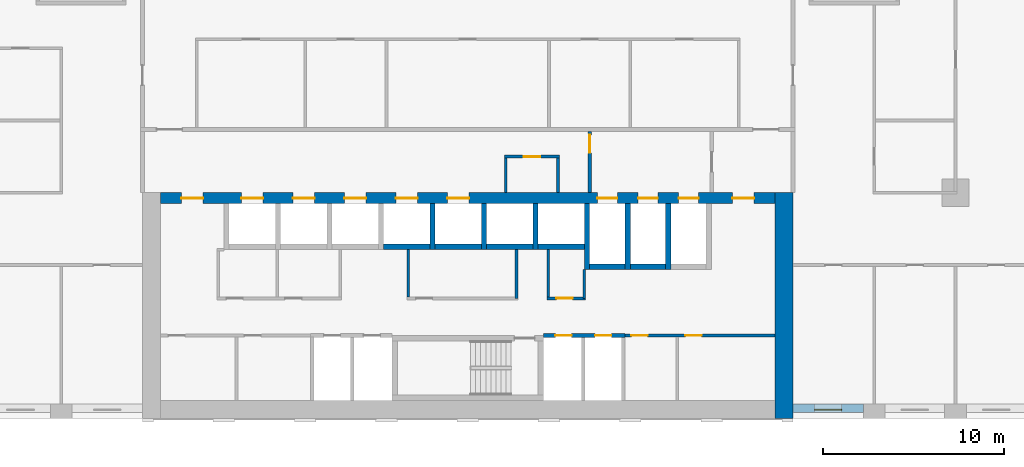
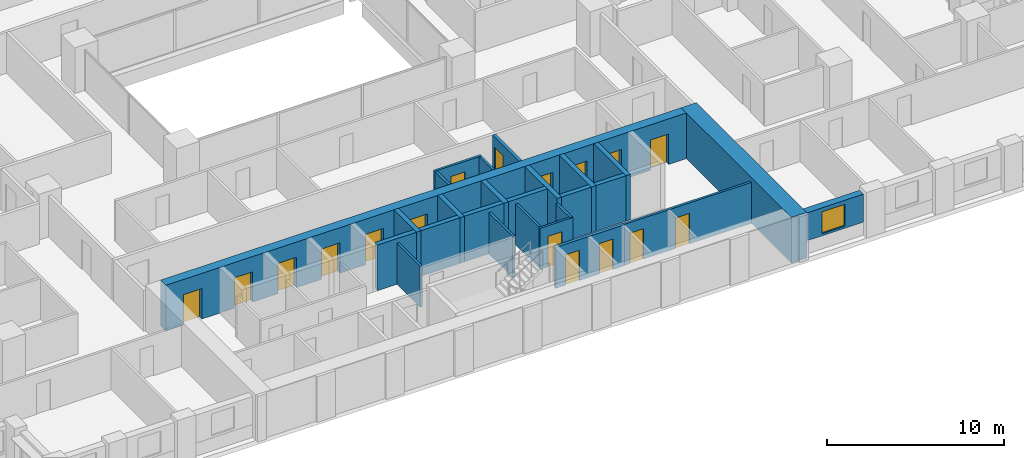
# One storey, part 11 of 20: 26 walls, 17 doors, 1 window, 18 openings.
"""IFC4 building model written with IfcOpenShell, lengths in metres."""

from ifc_helpers import new_model, si_unit, direction, frame, frame_2d, origin, place, context, subcontext, project, spatial, rectangle, extrude, material, layer, layer_set, type_object, element, fill, save


model = new_model("IFC4")

# Units and contexts
model_context = context("Model", 3, precision=1e-05, world=origin(), true_north=direction((0.0, 1.0)))
body_context = subcontext(model_context, "Body", "Model", "MODEL_VIEW")
ifc_project = project(units=[si_unit("LENGTHUNIT", "METRE"), si_unit("AREAUNIT", "SQUARE_METRE"), si_unit("VOLUMEUNIT", "CUBIC_METRE"), si_unit("PLANEANGLEUNIT", "RADIAN"), si_unit("MASSUNIT", "GRAM", prefix="KILO")], contexts=[model_context])

# Site, building, storey
site_placement = place(None, origin())
site = spatial("IfcSite", under=ifc_project, at=site_placement, CompositionType="ELEMENT")
building_placement = place(site_placement, origin())
building = spatial("IfcBuilding", under=site, at=building_placement, Name="Brigalow Station Residences", CompositionType="ELEMENT")
storey_placement = place(building_placement, frame((0.0, 0.0, 38.39990234375)))
storey = spatial("IfcBuildingStorey", under=building, at=storey_placement, Name="L10", CompositionType="ELEMENT", Elevation=38.39990234375)

# Wall, opening, window
ifc_material_1 = material(Name="Clay brick masonry", Category="masonry")
ifc_layer_1 = layer(ifc_material_1, 0.449951171875)
ifc_layer_set_1 = layer_set([ifc_layer_1], Name="BRICK INFILL WALL 450")
wall_type_1 = type_object("IfcWallType", Name="BRICK INFILL WALL 450", PredefinedType="SOLIDWALL", material=ifc_layer_set_1)
wall_1_placement = place(storey_placement, frame((54.0, 0.574951171875, 0.900146484375), z_axis=(0.0, 0.0, 1.0), x_axis=(1.0, 0.0, 0.0)))
wall_1 = element("IfcWall", 1, at=wall_1_placement, inside=storey, type_object=wall_type_1, Name="L10/ewall/W-L10-5", PredefinedType="SOLIDWALL", context=body_context, shape_type="SweptSolid", body=[
    extrude(rectangle(XDim=3.89990234375, YDim=0.449951171875, at=frame_2d((1.949951171875, 0.0))), origin(), (0.0, 0.0, 1.0), 1.929931640625),
])
opening_1_placement = place(wall_1_placement, frame((1.199951171875, 0.0, 0.14990234375)))
opening_1 = element("IfcOpeningElement", 2, at=opening_1_placement, cuts=wall_1, Name="Opening WT-1", PredefinedType="OPENING", context=body_context, shape_type="SweptSolid", body=[
    extrude(rectangle(XDim=1.5, YDim=1.5, at=frame_2d((0.75, 0.75))), frame((0.0, 0.23486328125, 0.0), z_axis=(0.0, -1.0, 0.0), x_axis=(1.0, 0.0, 0.0)), (0.0, 0.0, 1.0), 0.469970703125),
])
ifc_material_2 = material(Name="Anodised aluminium frame with double glazing", Category="aluminium")
window_type = type_object("IfcWindowType", Name="WINDOW 1500x1500", PartitioningType="SINGLE_PANEL", PredefinedType="WINDOW", material=ifc_material_2)
window_placement = place(opening_1_placement, origin())
window = element("IfcWindow", 3, at=window_placement, inside=storey, type_object=window_type, Name="L10/window/W-L10-5", OverallHeight=1.5, OverallWidth=1.5, PartitioningType="SINGLE_PANEL", PredefinedType="WINDOW", context=body_context, shape_type="SweptSolid", body=[
    extrude(rectangle(XDim=1.5, YDim=1.5, at=frame_2d((0.75, 0.75))), frame((0.0, -0.06494140625, 0.0), z_axis=(0.0, -1.0, 0.0), x_axis=(1.0, 0.0, 0.0)), (0.0, 0.0, 1.0), 0.06005859375),
])
fill(opening_1, window)

# Walls
ifc_material_3 = material(Name="Concrete C80", Category="concrete")
ifc_layer_2 = layer(ifc_material_3, 1.0)
ifc_layer_set_2 = layer_set([ifc_layer_2], Name="CORE SHEAR WALL 1000 C80")
wall_type_2 = type_object("IfcWallType", Name="CORE SHEAR WALL 1000 C80", PredefinedType="SHEAR", material=ifc_layer_set_2)
wall_2_placement = place(storey_placement, frame((53.5, 0.0, 0.0), z_axis=(0.0, 0.0, 1.0), x_axis=(0.0, 1.0, 0.0)))
element("IfcWall", 4, at=wall_2_placement, inside=storey, type_object=wall_type_2, Name="CORE WALL OUT-E L10", PredefinedType="SHEAR", context=body_context, shape_type="SweptSolid", body=[
    extrude(rectangle(XDim=12.5, YDim=1.0, at=frame_2d((6.25, 0.0))), origin(), (0.0, 0.0, 1.0), 3.150146484375),
])
ifc_material_4 = material(Name="Concrete C80", Category="concrete")
ifc_layer_3 = layer(ifc_material_4, 0.300048828125)
ifc_layer_set_3 = layer_set([ifc_layer_3], Name="CORE SHEAR WALL 300 C80")
wall_type_3 = type_object("IfcWallType", Name="CORE SHEAR WALL 300 C80", PredefinedType="SHEAR", material=ifc_layer_set_3)
wall_3_placement = place(storey_placement, frame((31.35009765625, 9.5, 0.0), z_axis=(0.0, 0.0, 1.0), x_axis=(1.0, 0.0, 0.0)))
element("IfcWall", 5, at=wall_3_placement, inside=storey, type_object=wall_type_3, Name="CORE WALL SH-P4-S L10", PredefinedType="SHEAR", context=body_context, shape_type="SweptSolid", body=[
    extrude(rectangle(XDim=2.5498046875, YDim=0.300048828125, at=frame_2d((1.27490234375, 0.0))), origin(), (0.0, 0.0, 1.0), 3.150146484375),
])
wall_4_placement = place(storey_placement, frame((34.199951171875, 9.5, 0.0), z_axis=(0.0, 0.0, 1.0), x_axis=(1.0, 0.0, 0.0)))
element("IfcWall", 6, at=wall_4_placement, inside=storey, type_object=wall_type_3, Name="CORE WALL SH-P5-S L10", PredefinedType="SHEAR", context=body_context, shape_type="SweptSolid", body=[
    extrude(rectangle(XDim=2.550048828125, YDim=0.300048828125, at=frame_2d((1.27490234375, 0.0))), origin(), (0.0, 0.0, 1.0), 3.150146484375),
])
wall_5_placement = place(storey_placement, frame((34.050048828125, 9.35009765625, 0.0), z_axis=(0.0, 0.0, 1.0), x_axis=(0.0, 1.0, 0.0)))
element("IfcWall", 7, at=wall_5_placement, inside=storey, type_object=wall_type_3, Name="CORE WALL SH-P5-W L10", PredefinedType="SHEAR", context=body_context, shape_type="SweptSolid", body=[
    extrude(rectangle(XDim=2.5498046875, YDim=0.300048828125, at=frame_2d((1.27490234375, 0.0))), origin(), (0.0, 0.0, 1.0), 3.150146484375),
])
wall_6_placement = place(storey_placement, frame((37.050048828125, 9.5, 0.0), z_axis=(0.0, 0.0, 1.0), x_axis=(1.0, 0.0, 0.0)))
element("IfcWall", 8, at=wall_6_placement, inside=storey, type_object=wall_type_3, Name="CORE WALL SH-X1-S L10", PredefinedType="SHEAR", context=body_context, shape_type="SweptSolid", body=[
    extrude(rectangle(XDim=2.550048828125, YDim=0.300048828125, at=frame_2d((1.27490234375, 0.0))), origin(), (0.0, 0.0, 1.0), 3.150146484375),
])
wall_7_placement = place(storey_placement, frame((36.89990234375, 9.35009765625, 0.0), z_axis=(0.0, 0.0, 1.0), x_axis=(0.0, 1.0, 0.0)))
element("IfcWall", 9, at=wall_7_placement, inside=storey, type_object=wall_type_3, Name="CORE WALL SH-X1-W L10", PredefinedType="SHEAR", context=body_context, shape_type="SweptSolid", body=[
    extrude(rectangle(XDim=2.5498046875, YDim=0.300048828125, at=frame_2d((1.27490234375, 0.0))), origin(), (0.0, 0.0, 1.0), 3.150146484375),
])
wall_8_placement = place(storey_placement, frame((39.89990234375, 9.5, 0.0), z_axis=(0.0, 0.0, 1.0), x_axis=(1.0, 0.0, 0.0)))
element("IfcWall", 10, at=wall_8_placement, inside=storey, type_object=wall_type_3, Name="CORE WALL SH-X2-S L10", PredefinedType="SHEAR", context=body_context, shape_type="SweptSolid", body=[
    extrude(rectangle(XDim=2.550048828125, YDim=0.300048828125, at=frame_2d((1.27490234375, 0.0))), origin(), (0.0, 0.0, 1.0), 3.150146484375),
])
wall_9_placement = place(storey_placement, frame((39.75, 9.35009765625, 0.0), z_axis=(0.0, 0.0, 1.0), x_axis=(0.0, 1.0, 0.0)))
element("IfcWall", 11, at=wall_9_placement, inside=storey, type_object=wall_type_3, Name="CORE WALL SH-X2-W L10", PredefinedType="SHEAR", context=body_context, shape_type="SweptSolid", body=[
    extrude(rectangle(XDim=2.5498046875, YDim=0.300048828125, at=frame_2d((1.27490234375, 0.0))), origin(), (0.0, 0.0, 1.0), 3.150146484375),
])
wall_10_placement = place(storey_placement, frame((42.75, 8.39990234375, 0.0), z_axis=(0.0, 0.0, 1.0), x_axis=(1.0, 0.0, 0.0)))
element("IfcWall", 12, at=wall_10_placement, inside=storey, type_object=wall_type_3, Name="CORE WALL SH-FF1-S L10", PredefinedType="SHEAR", context=body_context, shape_type="SweptSolid", body=[
    extrude(rectangle(XDim=1.949951171875, YDim=0.300048828125, at=frame_2d((0.97509765625, 0.0))), origin(), (0.0, 0.0, 1.0), 3.150146484375),
])
wall_11_placement = place(storey_placement, frame((42.60009765625, 8.25, 0.0), z_axis=(0.0, 0.0, 1.0), x_axis=(0.0, 1.0, 0.0)))
element("IfcWall", 13, at=wall_11_placement, inside=storey, type_object=wall_type_3, Name="CORE WALL SH-FF1-W L10", PredefinedType="SHEAR", context=body_context, shape_type="SweptSolid", body=[
    extrude(rectangle(XDim=3.64990234375, YDim=0.300048828125, at=frame_2d((1.824951171875, 0.0))), origin(), (0.0, 0.0, 1.0), 3.150146484375),
])
wall_12_placement = place(storey_placement, frame((45.0, 8.39990234375, 0.0), z_axis=(0.0, 0.0, 1.0), x_axis=(1.0, 0.0, 0.0)))
element("IfcWall", 14, at=wall_12_placement, inside=storey, type_object=wall_type_3, Name="CORE WALL SH-FF2-S L10", PredefinedType="SHEAR", context=body_context, shape_type="SweptSolid", body=[
    extrude(rectangle(XDim=1.949951171875, YDim=0.300048828125, at=frame_2d((0.97509765625, 0.0))), origin(), (0.0, 0.0, 1.0), 3.150146484375),
])
for number, where, z_axis, x_axis, name in (
    (15, (44.85009765625, 8.25, 0.0), (0.0, 0.0, 1.0), (0.0, 1.0, 0.0), "CORE WALL SH-FF2-W L10"),
    (16, (47.10009765625, 8.25, 0.0), (0.0, 0.0, 1.0), (0.0, 1.0, 0.0), "CORE WALL SH-SL1-W L10"),
):
    element("IfcWall", number, at=place(storey_placement, frame(where, z_axis=z_axis, x_axis=x_axis)), inside=storey, type_object=wall_type_3, Name=name, PredefinedType="SHEAR", context=body_context, shape_type="SweptSolid", body=[
        extrude(rectangle(XDim=3.64990234375, YDim=0.300048828125, at=frame_2d((1.824951171875, 0.0))), origin(), (0.0, 0.0, 1.0), 3.150146484375),
    ])

# Wall, openings, doors
ifc_material_5 = material(Name="Concrete C80", Category="concrete")
ifc_layer_4 = layer(ifc_material_5, 0.60009765625)
ifc_layer_set_4 = layer_set([ifc_layer_4], Name="CORE SHEAR WALL 600 C80")
wall_type_4 = type_object("IfcWallType", Name="CORE SHEAR WALL 600 C80", PredefinedType="SHEAR", material=ifc_layer_set_4)
wall_13_placement = place(storey_placement, frame((19.0, 12.199951171875, 0.0), z_axis=(0.0, 0.0, 1.0), x_axis=(1.0, 0.0, 0.0)))
wall_13 = element("IfcWall", 17, at=wall_13_placement, inside=storey, type_object=wall_type_4, Name="CORE WALL OUT-N L10", PredefinedType="SHEAR", context=body_context, shape_type="SweptSolid", body=[
    extrude(rectangle(XDim=34.0, YDim=0.60009765625, at=frame_2d((17.0, 0.0))), origin(), (0.0, 0.0, 1.0), 3.150146484375),
])
opening_2_placement = place(wall_13_placement, frame((4.47509765625, 0.0, 0.0)))
opening_2 = element("IfcOpeningElement", 18, at=opening_2_placement, cuts=wall_13, Name="Opening LD-LA1", PredefinedType="OPENING", context=body_context, shape_type="SweptSolid", body=[
    extrude(rectangle(XDim=1.199951171875, YDim=2.10009765625, at=frame_2d((0.60009765625, 1.050048828125))), frame((0.0, 0.31005859375, 0.0), z_axis=(0.0, -1.0, 0.0), x_axis=(1.0, 0.0, 0.0)), (0.0, 0.0, 1.0), 0.6201171875),
])
opening_3_placement = place(wall_13_placement, frame((7.324951171875, 0.0, 0.0)))
opening_3 = element("IfcOpeningElement", 19, at=opening_3_placement, cuts=wall_13, Name="Opening LD-LA2", PredefinedType="OPENING", context=body_context, shape_type="SweptSolid", body=[
    extrude(rectangle(XDim=1.199951171875, YDim=2.10009765625, at=frame_2d((0.60009765625, 1.050048828125))), frame((0.0, 0.31005859375, 0.0), z_axis=(0.0, -1.0, 0.0), x_axis=(1.0, 0.0, 0.0)), (0.0, 0.0, 1.0), 0.6201171875),
])
opening_4_placement = place(wall_13_placement, frame((10.175048828125, 0.0, 0.0)))
opening_4 = element("IfcOpeningElement", 20, at=opening_4_placement, cuts=wall_13, Name="Opening LD-LA3", PredefinedType="OPENING", context=body_context, shape_type="SweptSolid", body=[
    extrude(rectangle(XDim=1.199951171875, YDim=2.10009765625, at=frame_2d((0.60009765625, 1.050048828125))), frame((0.0, 0.31005859375, 0.0), z_axis=(0.0, -1.0, 0.0), x_axis=(1.0, 0.0, 0.0)), (0.0, 0.0, 1.0), 0.6201171875),
])
opening_5_placement = place(wall_13_placement, frame((13.02490234375, 0.0, 0.0)))
opening_5 = element("IfcOpeningElement", 21, at=opening_5_placement, cuts=wall_13, Name="Opening LD-LA4", PredefinedType="OPENING", context=body_context, shape_type="SweptSolid", body=[
    extrude(rectangle(XDim=1.199951171875, YDim=2.10009765625, at=frame_2d((0.60009765625, 1.050048828125))), frame((0.0, 0.31005859375, 0.0), z_axis=(0.0, -1.0, 0.0), x_axis=(1.0, 0.0, 0.0)), (0.0, 0.0, 1.0), 0.6201171875),
])
opening_6_placement = place(wall_13_placement, frame((15.875, 0.0, 0.0)))
opening_6 = element("IfcOpeningElement", 22, at=opening_6_placement, cuts=wall_13, Name="Opening LD-LA5", PredefinedType="OPENING", context=body_context, shape_type="SweptSolid", body=[
    extrude(rectangle(XDim=1.199951171875, YDim=2.10009765625, at=frame_2d((0.60009765625, 1.050048828125))), frame((0.0, 0.31005859375, 0.0), z_axis=(0.0, -1.0, 0.0), x_axis=(1.0, 0.0, 0.0)), (0.0, 0.0, 1.0), 0.6201171875),
])
opening_7_placement = place(wall_13_placement, frame((24.175048828125, 0.0, 0.0)))
opening_7 = element("IfcOpeningElement", 23, at=opening_7_placement, cuts=wall_13, Name="Opening LD-LF1", PredefinedType="OPENING", context=body_context, shape_type="SweptSolid", body=[
    extrude(rectangle(XDim=1.10009765625, YDim=2.10009765625, at=frame_2d((0.550048828125, 1.050048828125))), frame((0.0, 0.31005859375, 0.0), z_axis=(0.0, -1.0, 0.0), x_axis=(1.0, 0.0, 0.0)), (0.0, 0.0, 1.0), 0.6201171875),
])
opening_8_placement = place(wall_13_placement, frame((26.425048828125, 0.0, 0.0)))
opening_8 = element("IfcOpeningElement", 24, at=opening_8_placement, cuts=wall_13, Name="Opening LD-LF2", PredefinedType="OPENING", context=body_context, shape_type="SweptSolid", body=[
    extrude(rectangle(XDim=1.10009765625, YDim=2.10009765625, at=frame_2d((0.550048828125, 1.050048828125))), frame((0.0, 0.31005859375, 0.0), z_axis=(0.0, -1.0, 0.0), x_axis=(1.0, 0.0, 0.0)), (0.0, 0.0, 1.0), 0.6201171875),
])
opening_9_placement = place(wall_13_placement, frame((28.675048828125, 0.0, 0.0)))
opening_9 = element("IfcOpeningElement", 25, at=opening_9_placement, cuts=wall_13, Name="Opening LD-LG1", PredefinedType="OPENING", context=body_context, shape_type="SweptSolid", body=[
    extrude(rectangle(XDim=1.10009765625, YDim=2.10009765625, at=frame_2d((0.550048828125, 1.050048828125))), frame((0.0, 0.31005859375, 0.0), z_axis=(0.0, -1.0, 0.0), x_axis=(1.0, 0.0, 0.0)), (0.0, 0.0, 1.0), 0.6201171875),
])
opening_10_placement = place(wall_13_placement, frame((1.14990234375, 0.0, 0.0)))
opening_10 = element("IfcOpeningElement", 26, at=opening_10_placement, cuts=wall_13, Name="Opening D-5011", PredefinedType="OPENING", context=body_context, shape_type="SweptSolid", body=[
    extrude(rectangle(XDim=1.199951171875, YDim=2.10009765625, at=frame_2d((0.60009765625, 1.050048828125))), frame((0.0, 0.31005859375, 0.0), z_axis=(0.0, -1.0, 0.0), x_axis=(1.0, 0.0, 0.0)), (0.0, 0.0, 1.0), 0.6201171875),
])
opening_11_placement = place(wall_13_placement, frame((31.64990234375, 0.0, 0.0)))
opening_11 = element("IfcOpeningElement", 27, at=opening_11_placement, cuts=wall_13, Name="Opening D-5012", PredefinedType="OPENING", context=body_context, shape_type="SweptSolid", body=[
    extrude(rectangle(XDim=1.199951171875, YDim=2.10009765625, at=frame_2d((0.60009765625, 1.050048828125))), frame((0.0, 0.31005859375, 0.0), z_axis=(0.0, -1.0, 0.0), x_axis=(1.0, 0.0, 0.0)), (0.0, 0.0, 1.0), 0.6201171875),
])
ifc_material_6 = material(Name="Steel fire door leaf in steel frame", Category="steel")
door_type_1 = type_object("IfcDoorType", Name="CORE CORRIDOR DOOR 1200 x 2100 FD60S", OperationType="SINGLE_SWING_LEFT", PredefinedType="DOOR", material=ifc_material_6)
door_1_placement = place(opening_10_placement, frame((1.199951171875, 0.0, 0.0), z_axis=(0.0, 0.0, 1.0), x_axis=(-1.0, 0.0, 0.0)))
door_1 = element("IfcDoor", 28, at=door_1_placement, inside=storey, type_object=door_type_1, Name="D-5011", OperationType="SINGLE_SWING_LEFT", OverallHeight=2.10009765625, OverallWidth=1.199951171875, PredefinedType="DOOR", context=body_context, shape_type="SweptSolid", body=[
    extrude(rectangle(XDim=1.199951171875, YDim=2.10009765625, at=frame_2d((0.60009765625, 1.050048828125))), frame((0.0, 0.02490234375, 0.0), z_axis=(0.0, -1.0, 0.0), x_axis=(1.0, 0.0, 0.0)), (0.0, 0.0, 1.0), 0.050048828125),
])
fill(opening_10, door_1)
door_2_placement = place(opening_11_placement, frame((1.199951171875, 0.0, 0.0), z_axis=(0.0, 0.0, 1.0), x_axis=(-1.0, 0.0, 0.0)))
door_2 = element("IfcDoor", 29, at=door_2_placement, inside=storey, type_object=door_type_1, Name="D-5012", OperationType="SINGLE_SWING_RIGHT", OverallHeight=2.10009765625, OverallWidth=1.199951171875, PredefinedType="DOOR", context=body_context, shape_type="SweptSolid", body=[
    extrude(rectangle(XDim=1.199951171875, YDim=2.10009765625, at=frame_2d((0.60009765625, 1.050048828125))), frame((0.0, 0.02490234375, 0.0), z_axis=(0.0, -1.0, 0.0), x_axis=(1.0, 0.0, 0.0)), (0.0, 0.0, 1.0), 0.050048828125),
])
fill(opening_11, door_2)
ifc_material_7 = material(Name="Stainless steel sliding door leaves", Category="steel")
door_type_2 = type_object("IfcDoorType", Name="LIFT LANDING DOOR 1100 x 2100", OperationType="DOUBLE_DOOR_SLIDING", PredefinedType="DOOR", material=ifc_material_7)
door_3_placement = place(opening_7_placement, origin())
door_3 = element("IfcDoor", 30, at=door_3_placement, inside=storey, type_object=door_type_2, Name="LANDING DOOR LF1", OperationType="DOUBLE_DOOR_SLIDING", OverallHeight=2.10009765625, OverallWidth=1.10009765625, PredefinedType="DOOR", context=body_context, shape_type="SweptSolid", body=[
    extrude(rectangle(XDim=1.10009765625, YDim=2.10009765625, at=frame_2d((0.550048828125, 1.050048828125))), frame((0.0, 0.02490234375, 0.0), z_axis=(0.0, -1.0, 0.0), x_axis=(1.0, 0.0, 0.0)), (0.0, 0.0, 1.0), 0.050048828125),
])
fill(opening_7, door_3)
door_4_placement = place(opening_8_placement, origin())
door_4 = element("IfcDoor", 31, at=door_4_placement, inside=storey, type_object=door_type_2, Name="LANDING DOOR LF2", OperationType="DOUBLE_DOOR_SLIDING", OverallHeight=2.10009765625, OverallWidth=1.10009765625, PredefinedType="DOOR", context=body_context, shape_type="SweptSolid", body=[
    extrude(rectangle(XDim=1.10009765625, YDim=2.10009765625, at=frame_2d((0.550048828125, 1.050048828125))), frame((0.0, 0.02490234375, 0.0), z_axis=(0.0, -1.0, 0.0), x_axis=(1.0, 0.0, 0.0)), (0.0, 0.0, 1.0), 0.050048828125),
])
fill(opening_8, door_4)
door_5_placement = place(opening_9_placement, origin())
door_5 = element("IfcDoor", 32, at=door_5_placement, inside=storey, type_object=door_type_2, Name="LANDING DOOR LG1", OperationType="DOUBLE_DOOR_SLIDING", OverallHeight=2.10009765625, OverallWidth=1.10009765625, PredefinedType="DOOR", context=body_context, shape_type="SweptSolid", body=[
    extrude(rectangle(XDim=1.10009765625, YDim=2.10009765625, at=frame_2d((0.550048828125, 1.050048828125))), frame((0.0, 0.02490234375, 0.0), z_axis=(0.0, -1.0, 0.0), x_axis=(1.0, 0.0, 0.0)), (0.0, 0.0, 1.0), 0.050048828125),
])
fill(opening_9, door_5)
ifc_material_8 = material(Name="Stainless steel sliding door leaves", Category="steel")
door_type_3 = type_object("IfcDoorType", Name="LIFT LANDING DOOR 1200 x 2100", OperationType="DOUBLE_DOOR_SLIDING", PredefinedType="DOOR", material=ifc_material_8)
door_6_placement = place(opening_2_placement, origin())
door_6 = element("IfcDoor", 33, at=door_6_placement, inside=storey, type_object=door_type_3, Name="LANDING DOOR LA1", OperationType="DOUBLE_DOOR_SLIDING", OverallHeight=2.10009765625, OverallWidth=1.199951171875, PredefinedType="DOOR", context=body_context, shape_type="SweptSolid", body=[
    extrude(rectangle(XDim=1.199951171875, YDim=2.10009765625, at=frame_2d((0.60009765625, 1.050048828125))), frame((0.0, 0.02490234375, 0.0), z_axis=(0.0, -1.0, 0.0), x_axis=(1.0, 0.0, 0.0)), (0.0, 0.0, 1.0), 0.050048828125),
])
fill(opening_2, door_6)
door_7_placement = place(opening_3_placement, origin())
door_7 = element("IfcDoor", 34, at=door_7_placement, inside=storey, type_object=door_type_3, Name="LANDING DOOR LA2", OperationType="DOUBLE_DOOR_SLIDING", OverallHeight=2.10009765625, OverallWidth=1.199951171875, PredefinedType="DOOR", context=body_context, shape_type="SweptSolid", body=[
    extrude(rectangle(XDim=1.199951171875, YDim=2.10009765625, at=frame_2d((0.60009765625, 1.050048828125))), frame((0.0, 0.02490234375, 0.0), z_axis=(0.0, -1.0, 0.0), x_axis=(1.0, 0.0, 0.0)), (0.0, 0.0, 1.0), 0.050048828125),
])
fill(opening_3, door_7)
door_8_placement = place(opening_4_placement, origin())
door_8 = element("IfcDoor", 35, at=door_8_placement, inside=storey, type_object=door_type_3, Name="LANDING DOOR LA3", OperationType="DOUBLE_DOOR_SLIDING", OverallHeight=2.10009765625, OverallWidth=1.199951171875, PredefinedType="DOOR", context=body_context, shape_type="SweptSolid", body=[
    extrude(rectangle(XDim=1.199951171875, YDim=2.10009765625, at=frame_2d((0.60009765625, 1.050048828125))), frame((0.0, 0.02490234375, 0.0), z_axis=(0.0, -1.0, 0.0), x_axis=(1.0, 0.0, 0.0)), (0.0, 0.0, 1.0), 0.050048828125),
])
fill(opening_4, door_8)
door_9_placement = place(opening_5_placement, origin())
door_9 = element("IfcDoor", 36, at=door_9_placement, inside=storey, type_object=door_type_3, Name="LANDING DOOR LA4", OperationType="DOUBLE_DOOR_SLIDING", OverallHeight=2.10009765625, OverallWidth=1.199951171875, PredefinedType="DOOR", context=body_context, shape_type="SweptSolid", body=[
    extrude(rectangle(XDim=1.199951171875, YDim=2.10009765625, at=frame_2d((0.60009765625, 1.050048828125))), frame((0.0, 0.02490234375, 0.0), z_axis=(0.0, -1.0, 0.0), x_axis=(1.0, 0.0, 0.0)), (0.0, 0.0, 1.0), 0.050048828125),
])
fill(opening_5, door_9)
door_10_placement = place(opening_6_placement, origin())
door_10 = element("IfcDoor", 37, at=door_10_placement, inside=storey, type_object=door_type_3, Name="LANDING DOOR LA5", OperationType="DOUBLE_DOOR_SLIDING", OverallHeight=2.10009765625, OverallWidth=1.199951171875, PredefinedType="DOOR", context=body_context, shape_type="SweptSolid", body=[
    extrude(rectangle(XDim=1.199951171875, YDim=2.10009765625, at=frame_2d((0.60009765625, 1.050048828125))), frame((0.0, 0.02490234375, 0.0), z_axis=(0.0, -1.0, 0.0), x_axis=(1.0, 0.0, 0.0)), (0.0, 0.0, 1.0), 0.050048828125),
])
fill(opening_6, door_10)

ifc_material_9 = material(Name="Concrete blockwork", Category="masonry")
ifc_layer_5 = layer(ifc_material_9, 0.199951171875)
ifc_layer_set_5 = layer_set([ifc_layer_5], Name="FIRE RATED CORE PARTITION 200")
wall_type_5 = type_object("IfcWallType", Name="FIRE RATED CORE PARTITION 200", PredefinedType="PARTITIONING", material=ifc_layer_set_5)
wall_14_placement = place(storey_placement, frame((40.199951171875, 4.60009765625, 0.0), z_axis=(0.0, 0.0, 1.0), x_axis=(1.0, 0.0, 0.0)))
wall_14 = element("IfcWall", 38, at=wall_14_placement, inside=storey, type_object=wall_type_5, Name="PW-5018", PredefinedType="PARTITIONING", context=body_context, shape_type="SweptSolid", body=[
    extrude(rectangle(XDim=4.5, YDim=0.199951171875, at=frame_2d((2.25, 0.0))), origin(), (0.0, 0.0, 1.0), 2.830078125),
])
opening_12_placement = place(wall_14_placement, frame((0.64990234375, 0.0, 0.0)))
opening_12 = element("IfcOpeningElement", 39, at=opening_12_placement, cuts=wall_14, Name="Opening D-5009", PredefinedType="OPENING", context=body_context, shape_type="SweptSolid", body=[
    extrude(rectangle(XDim=0.89990234375, YDim=2.10009765625, at=frame_2d((0.449951171875, 1.050048828125))), frame((0.0, 0.10986328125, 0.0), z_axis=(0.0, -1.0, 0.0), x_axis=(1.0, 0.0, 0.0)), (0.0, 0.0, 1.0), 0.219970703125),
])
opening_13_placement = place(wall_14_placement, frame((2.85009765625, 0.0, 0.0)))
opening_13 = element("IfcOpeningElement", 40, at=opening_13_placement, cuts=wall_14, Name="Opening D-5010", PredefinedType="OPENING", context=body_context, shape_type="SweptSolid", body=[
    extrude(rectangle(XDim=0.89990234375, YDim=2.10009765625, at=frame_2d((0.449951171875, 1.050048828125))), frame((0.0, 0.10986328125, 0.0), z_axis=(0.0, -1.0, 0.0), x_axis=(1.0, 0.0, 0.0)), (0.0, 0.0, 1.0), 0.219970703125),
])
ifc_material_10 = material(Name="Steel fire door leaf in steel frame", Category="steel")
door_type_4 = type_object("IfcDoorType", Name="RISER ACCESS DOOR 900 x 2100 FD120", OperationType="SINGLE_SWING_LEFT", PredefinedType="DOOR", material=ifc_material_10)
door_11_placement = place(opening_12_placement, frame((0.89990234375, 0.0, 0.0), z_axis=(0.0, 0.0, 1.0), x_axis=(-1.0, 0.0, 0.0)))
door_11 = element("IfcDoor", 41, at=door_11_placement, inside=storey, type_object=door_type_4, Name="D-5009", OperationType="SINGLE_SWING_LEFT", OverallHeight=2.10009765625, OverallWidth=0.89990234375, PredefinedType="DOOR", context=body_context, shape_type="SweptSolid", body=[
    extrude(rectangle(XDim=0.89990234375, YDim=2.10009765625, at=frame_2d((0.449951171875, 1.050048828125))), frame((0.0, 0.02490234375, 0.0), z_axis=(0.0, -1.0, 0.0), x_axis=(1.0, 0.0, 0.0)), (0.0, 0.0, 1.0), 0.050048828125),
])
fill(opening_12, door_11)
door_12_placement = place(opening_13_placement, frame((0.89990234375, 0.0, 0.0), z_axis=(0.0, 0.0, 1.0), x_axis=(-1.0, 0.0, 0.0)))
door_12 = element("IfcDoor", 42, at=door_12_placement, inside=storey, type_object=door_type_4, Name="D-5010", OperationType="SINGLE_SWING_LEFT", OverallHeight=2.10009765625, OverallWidth=0.89990234375, PredefinedType="DOOR", context=body_context, shape_type="SweptSolid", body=[
    extrude(rectangle(XDim=0.89990234375, YDim=2.10009765625, at=frame_2d((0.449951171875, 1.050048828125))), frame((0.0, 0.02490234375, 0.0), z_axis=(0.0, -1.0, 0.0), x_axis=(1.0, 0.0, 0.0)), (0.0, 0.0, 1.0), 0.050048828125),
])
fill(opening_13, door_12)

# Wall, opening, door
wall_15_placement = place(storey_placement, frame((42.75, 12.5, 0.0), z_axis=(0.0, 0.0, 1.0), x_axis=(0.0, 1.0, 0.0)))
wall_15 = element("IfcWall", 43, at=wall_15_placement, inside=storey, type_object=wall_type_5, Name="PW-5014", PredefinedType="PARTITIONING", context=body_context, shape_type="SweptSolid", body=[
    extrude(rectangle(XDim=3.39990234375, YDim=0.199951171875, at=frame_2d((1.699951171875, 0.0))), origin(), (0.0, 0.0, 1.0), 2.830078125),
])
opening_14_placement = place(wall_15_placement, frame((2.199951171875, 0.0, 0.0)))
opening_14 = element("IfcOpeningElement", 44, at=opening_14_placement, cuts=wall_15, Name="Opening D-5013", PredefinedType="OPENING", context=body_context, shape_type="SweptSolid", body=[
    extrude(rectangle(XDim=1.0, YDim=2.10009765625, at=frame_2d((0.5, 1.050048828125))), frame((0.0, 0.10986328125, 0.0), z_axis=(0.0, -1.0, 0.0), x_axis=(1.0, 0.0, 0.0)), (0.0, 0.0, 1.0), 0.219970703125),
])
ifc_material_11 = material(Name="Steel fire door leaf in steel frame", Category="steel")
door_type_5 = type_object("IfcDoorType", Name="LOBBY DOOR 1000 x 2100 FD60S", OperationType="SINGLE_SWING_LEFT", PredefinedType="DOOR", material=ifc_material_11)
door_13_placement = place(opening_14_placement, origin())
door_13 = element("IfcDoor", 45, at=door_13_placement, inside=storey, type_object=door_type_5, Name="D-5013", OperationType="SINGLE_SWING_RIGHT", OverallHeight=2.10009765625, OverallWidth=1.0, PredefinedType="DOOR", context=body_context, shape_type="SweptSolid", body=[
    extrude(rectangle(XDim=1.0, YDim=2.10009765625, at=frame_2d((0.5, 1.050048828125))), frame((0.0, 0.02490234375, 0.0), z_axis=(0.0, -1.0, 0.0), x_axis=(1.0, 0.0, 0.0)), (0.0, 0.0, 1.0), 0.050048828125),
])
fill(opening_14, door_13)

# Wall, openings, doors
ifc_material_12 = material(Name="Plasterboard on steel studs", Category="steel")
ifc_layer_6 = layer(ifc_material_12, 0.14990234375)
ifc_layer_set_6 = layer_set([ifc_layer_6], Name="SERVICE ROOM PARTITION 150")
wall_type_6 = type_object("IfcWallType", Name="SERVICE ROOM PARTITION 150", PredefinedType="PARTITIONING", material=ifc_layer_set_6)
wall_16_placement = place(storey_placement, frame((44.699951171875, 4.60009765625, 0.0), z_axis=(0.0, 0.0, 1.0), x_axis=(1.0, 0.0, 0.0)))
wall_16 = element("IfcWall", 46, at=wall_16_placement, inside=storey, type_object=wall_type_6, Name="PW-5020", PredefinedType="PARTITIONING", context=body_context, shape_type="SweptSolid", body=[
    extrude(rectangle(XDim=8.300048828125, YDim=0.14990234375, at=frame_2d((4.14990234375, 0.0))), origin(), (0.0, 0.0, 1.0), 2.830078125),
])
opening_15_placement = place(wall_16_placement, frame((0.35009765625, 0.0, 0.0)))
opening_15 = element("IfcOpeningElement", 47, at=opening_15_placement, cuts=wall_16, Name="Opening D-5026", PredefinedType="OPENING", context=body_context, shape_type="SweptSolid", body=[
    extrude(rectangle(XDim=0.89990234375, YDim=2.10009765625, at=frame_2d((0.449951171875, 1.050048828125))), frame((0.0, 0.0849609375, 0.0), z_axis=(0.0, -1.0, 0.0), x_axis=(1.0, 0.0, 0.0)), (0.0, 0.0, 1.0), 0.169921875),
])
opening_16_placement = place(wall_16_placement, frame((3.35009765625, 0.0, 0.0)))
opening_16 = element("IfcOpeningElement", 48, at=opening_16_placement, cuts=wall_16, Name="Opening D-5075", PredefinedType="OPENING", context=body_context, shape_type="SweptSolid", body=[
    extrude(rectangle(XDim=0.89990234375, YDim=2.10009765625, at=frame_2d((0.449951171875, 1.050048828125))), frame((0.0, 0.0849609375, 0.0), z_axis=(0.0, -1.0, 0.0), x_axis=(1.0, 0.0, 0.0)), (0.0, 0.0, 1.0), 0.169921875),
])
ifc_material_13 = material(Name="Steel door leaf in steel frame", Category="steel")
door_type_6 = type_object("IfcDoorType", Name="SERVICE ROOM DOOR 900 x 2100 FD60", OperationType="SINGLE_SWING_LEFT", PredefinedType="DOOR", material=ifc_material_13)
door_14_placement = place(opening_15_placement, frame((0.89990234375, 0.0, 0.0), z_axis=(0.0, 0.0, 1.0), x_axis=(-1.0, 0.0, 0.0)))
door_14 = element("IfcDoor", 49, at=door_14_placement, inside=storey, type_object=door_type_6, Name="D-5026", OperationType="SINGLE_SWING_RIGHT", OverallHeight=2.10009765625, OverallWidth=0.89990234375, PredefinedType="DOOR", context=body_context, shape_type="SweptSolid", body=[
    extrude(rectangle(XDim=0.89990234375, YDim=2.10009765625, at=frame_2d((0.449951171875, 1.050048828125))), frame((0.0, 0.02490234375, 0.0), z_axis=(0.0, -1.0, 0.0), x_axis=(1.0, 0.0, 0.0)), (0.0, 0.0, 1.0), 0.050048828125),
])
fill(opening_15, door_14)
door_15_placement = place(opening_16_placement, frame((0.89990234375, 0.0, 0.0), z_axis=(0.0, 0.0, 1.0), x_axis=(-1.0, 0.0, 0.0)))
door_15 = element("IfcDoor", 50, at=door_15_placement, inside=storey, type_object=door_type_6, Name="D-5075", OperationType="SINGLE_SWING_RIGHT", OverallHeight=2.10009765625, OverallWidth=0.89990234375, PredefinedType="DOOR", context=body_context, shape_type="SweptSolid", body=[
    extrude(rectangle(XDim=0.89990234375, YDim=2.10009765625, at=frame_2d((0.449951171875, 1.050048828125))), frame((0.0, 0.02490234375, 0.0), z_axis=(0.0, -1.0, 0.0), x_axis=(1.0, 0.0, 0.0)), (0.0, 0.0, 1.0), 0.050048828125),
])
fill(opening_16, door_15)

# Wall, opening, door
wall_17_placement = place(storey_placement, frame((40.375, 6.64990234375, 0.0), z_axis=(0.0, 0.0, 1.0), x_axis=(1.0, 0.0, 0.0)))
wall_17 = element("IfcWall", 51, at=wall_17_placement, inside=storey, type_object=wall_type_6, Name="PW-5128", PredefinedType="PARTITIONING", context=body_context, shape_type="SweptSolid", body=[
    extrude(rectangle(XDim=2.14990234375, YDim=0.14990234375, at=frame_2d((1.074951171875, 0.0))), origin(), (0.0, 0.0, 1.0), 2.830078125),
])
opening_17_placement = place(wall_17_placement, frame((0.52490234375, 0.0, 0.0)))
opening_17 = element("IfcOpeningElement", 52, at=opening_17_placement, cuts=wall_17, Name="Opening D-5034", PredefinedType="OPENING", context=body_context, shape_type="SweptSolid", body=[
    extrude(rectangle(XDim=0.89990234375, YDim=2.10009765625, at=frame_2d((0.449951171875, 1.050048828125))), frame((0.0, 0.0849609375, 0.0), z_axis=(0.0, -1.0, 0.0), x_axis=(1.0, 0.0, 0.0)), (0.0, 0.0, 1.0), 0.169921875),
])
door_16_placement = place(opening_17_placement, origin())
door_16 = element("IfcDoor", 53, at=door_16_placement, inside=storey, type_object=door_type_6, Name="D-5034", OperationType="SINGLE_SWING_LEFT", OverallHeight=2.10009765625, OverallWidth=0.89990234375, PredefinedType="DOOR", context=body_context, shape_type="SweptSolid", body=[
    extrude(rectangle(XDim=0.89990234375, YDim=2.10009765625, at=frame_2d((0.449951171875, 1.050048828125))), frame((0.0, 0.02490234375, 0.0), z_axis=(0.0, -1.0, 0.0), x_axis=(1.0, 0.0, 0.0)), (0.0, 0.0, 1.0), 0.050048828125),
])
fill(opening_17, door_16)

wall_18_placement = place(storey_placement, frame((38.02490234375, 14.5, 0.0), z_axis=(0.0, 0.0, 1.0), x_axis=(1.0, 0.0, 0.0)))
wall_18 = element("IfcWall", 54, at=wall_18_placement, inside=storey, type_object=wall_type_6, Name="PW-5138", PredefinedType="PARTITIONING", context=body_context, shape_type="SweptSolid", body=[
    extrude(rectangle(XDim=3.050048828125, YDim=0.14990234375, at=frame_2d((1.52490234375, 0.0))), origin(), (0.0, 0.0, 1.0), 2.830078125),
])
opening_18_placement = place(wall_18_placement, frame((1.074951171875, 0.0, 0.0)))
opening_18 = element("IfcOpeningElement", 55, at=opening_18_placement, cuts=wall_18, Name="Opening D-5079", PredefinedType="OPENING", context=body_context, shape_type="SweptSolid", body=[
    extrude(rectangle(XDim=0.89990234375, YDim=2.10009765625, at=frame_2d((0.449951171875, 1.050048828125))), frame((0.0, 0.0849609375, 0.0), z_axis=(0.0, -1.0, 0.0), x_axis=(1.0, 0.0, 0.0)), (0.0, 0.0, 1.0), 0.169921875),
])
door_17_placement = place(opening_18_placement, frame((0.89990234375, 0.0, 0.0), z_axis=(0.0, 0.0, 1.0), x_axis=(-1.0, 0.0, 0.0)))
door_17 = element("IfcDoor", 56, at=door_17_placement, inside=storey, type_object=door_type_6, Name="D-5079", OperationType="SINGLE_SWING_RIGHT", OverallHeight=2.10009765625, OverallWidth=0.89990234375, PredefinedType="DOOR", context=body_context, shape_type="SweptSolid", body=[
    extrude(rectangle(XDim=0.89990234375, YDim=2.10009765625, at=frame_2d((0.449951171875, 1.050048828125))), frame((0.0, 0.02490234375, 0.0), z_axis=(0.0, -1.0, 0.0), x_axis=(1.0, 0.0, 0.0)), (0.0, 0.0, 1.0), 0.050048828125),
])
fill(opening_18, door_17)

# Walls
wall_19_placement = place(storey_placement, frame((38.699951171875, 6.64990234375, 0.0), z_axis=(0.0, 0.0, 1.0), x_axis=(0.0, 1.0, 0.0)))
element("IfcWall", 57, at=wall_19_placement, inside=storey, type_object=wall_type_6, Name="PW-5132", PredefinedType="PARTITIONING", context=body_context, shape_type="SweptSolid", body=[
    extrude(rectangle(XDim=2.7001953125, YDim=0.14990234375, at=frame_2d((1.35009765625, 0.0))), origin(), (0.0, 0.0, 1.0), 2.830078125),
])
wall_20_placement = place(storey_placement, frame((42.449951171875, 6.64990234375, 0.0), z_axis=(0.0, 0.0, 1.0), x_axis=(0.0, 1.0, 0.0)))
element("IfcWall", 58, at=wall_20_placement, inside=storey, type_object=wall_type_6, Name="PW-5029", PredefinedType="PARTITIONING", context=body_context, shape_type="SweptSolid", body=[
    extrude(rectangle(XDim=1.60009765625, YDim=0.14990234375, at=frame_2d((0.800048828125, 0.0))), origin(), (0.0, 0.0, 1.0), 2.830078125),
])
for number, where, z_axis, x_axis, name in (
    (59, (32.699951171875, 6.72509765625, 0.0), (0.0, 0.0, 1.0), (0.0, 1.0, 0.0), "PW-5135"),
    (60, (40.449951171875, 6.72509765625, 0.0), (0.0, 0.0, 1.0), (0.0, 1.0, 0.0), "PW-5044"),
):
    element("IfcWall", number, at=place(storey_placement, frame(where, z_axis=z_axis, x_axis=x_axis)), inside=storey, type_object=wall_type_6, Name=name, PredefinedType="PARTITIONING", context=body_context, shape_type="SweptSolid", body=[
        extrude(rectangle(XDim=2.625, YDim=0.14990234375, at=frame_2d((1.3125, 0.0))), origin(), (0.0, 0.0, 1.0), 2.830078125),
    ])
for number, where, z_axis, x_axis, name in (
    (61, (38.10009765625, 12.5, 0.0), (0.0, 0.0, 1.0), (0.0, 1.0, 0.0), "PW-5139"),
    (62, (41.0, 12.5, 0.0), (0.0, 0.0, 1.0), (0.0, 1.0, 0.0), "PW-5140"),
):
    element("IfcWall", number, at=place(storey_placement, frame(where, z_axis=z_axis, x_axis=x_axis)), inside=storey, type_object=wall_type_6, Name=name, PredefinedType="PARTITIONING", context=body_context, shape_type="SweptSolid", body=[
        extrude(rectangle(XDim=1.925048828125, YDim=0.14990234375, at=frame_2d((0.96240234375, 0.0))), origin(), (0.0, 0.0, 1.0), 2.830078125),
    ])

save(model, "model.ifc")
